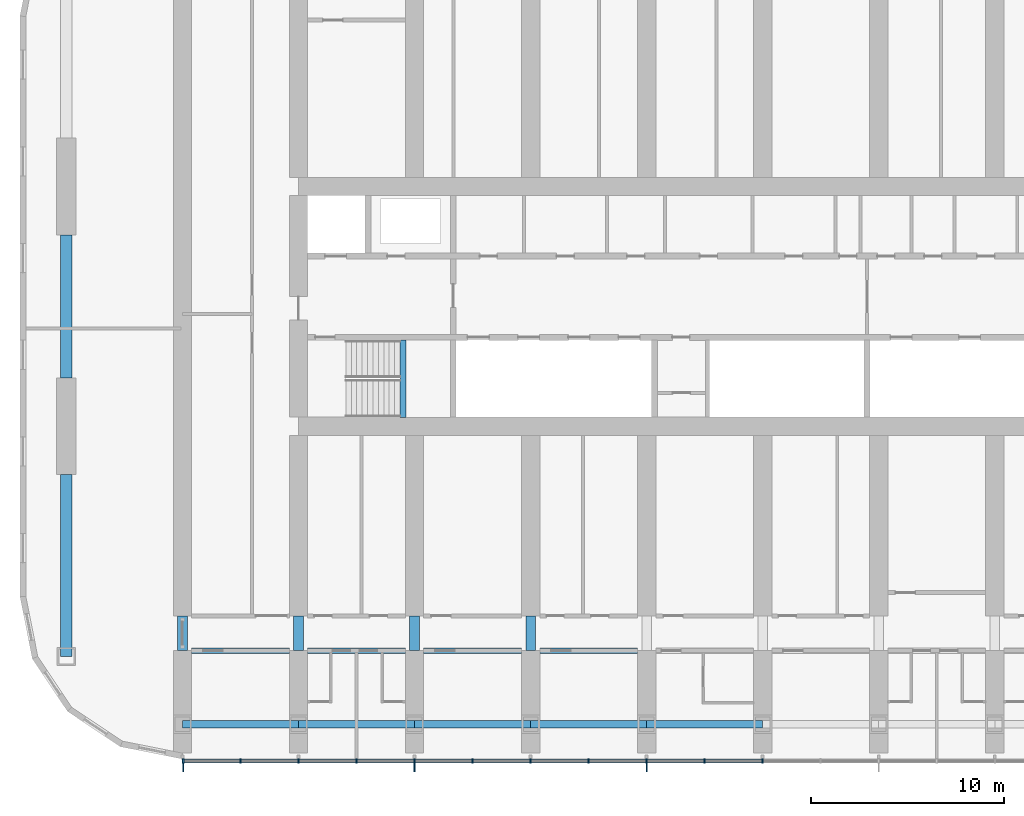
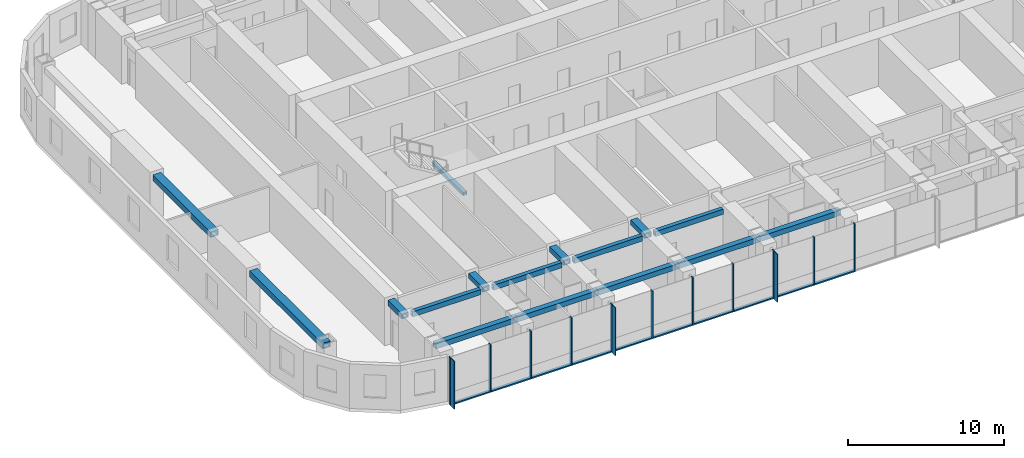
# One storey, part 2 of 21: 24 members, 16 beams, 1 element without a shape of its own.
"""IFC4 building model written with IfcOpenShell, lengths in metres."""

from ifc_helpers import new_model, si_unit, direction, frame, origin, origin_2d, place, context, subcontext, project, spatial, rectangle, hollow_rectangle, extrude, material, material_profile, profile_set, type_object, element, aggregate, save


model = new_model("IFC4")

# Units and contexts
model_context = context("Model", 3, precision=1e-05, world=origin(), true_north=direction((0.0, 1.0)))
body_context = subcontext(model_context, "Body", "Model", "MODEL_VIEW")
ifc_project = project(units=[si_unit("LENGTHUNIT", "METRE"), si_unit("AREAUNIT", "SQUARE_METRE"), si_unit("VOLUMEUNIT", "CUBIC_METRE"), si_unit("PLANEANGLEUNIT", "RADIAN"), si_unit("MASSUNIT", "GRAM", prefix="KILO")], contexts=[model_context])

# Site, building, storey
site_placement = place(None, origin())
site = spatial("IfcSite", under=ifc_project, at=site_placement, CompositionType="ELEMENT")
building_placement = place(site_placement, origin())
building = spatial("IfcBuilding", under=site, at=building_placement, Name="Orbita Commons", CompositionType="ELEMENT")
storey_placement = place(building_placement, frame((0.0, 0.0, 125.64990234375)))
storey = spatial("IfcBuildingStorey", under=building, at=storey_placement, Name="L31", CompositionType="ELEMENT", Elevation=125.64990234375)

# Curtain wall, members
ifc_material_1 = material(Name="Anodised aluminium frame, pale silver", Category="aluminium")
curtain_wall_type = type_object("IfcCurtainWallType", Name="Unitised curtain wall CW-T, vision and spandrel", PredefinedType="NOTDEFINED", material=ifc_material_1)
curtain_wall_placement = place(storey_placement, origin())
curtain_wall = element("IfcCurtainWall", 1, at=curtain_wall_placement, inside=storey, type_object=curtain_wall_type, Name="Curtain wall south L31", PredefinedType="NOTDEFINED")
ifc_material_2 = material(Name="Anodised aluminium, pale silver", Category="aluminium")
ifc_material_profile_1 = material_profile(ifc_material_2, rectangle(XDim=0.080078125, YDim=0.219970703125, at=origin_2d()), Name="AL 80x220")
ifc_profile_set_1 = profile_set([ifc_material_profile_1], Name="Anodised aluminium, pale silver")
member_type_1 = type_object("IfcMemberType", Name="Curtain wall mullion 80x220", PredefinedType="MULLION", material=ifc_profile_set_1)
member_1_placement = place(storey_placement, frame((12.0400390625, 8.489990234375, -0.25), z_axis=(0.0, 0.0, 1.0), x_axis=(1.0, 0.0, 0.0)))
member_1 = element("IfcMember", 2, at=member_1_placement, type_object=member_type_1, Name="Mullion 1 CW-L31-S", PredefinedType="MULLION", context=body_context, shape_type="SweptSolid", body=[
    extrude(rectangle(XDim=0.080078125, YDim=0.219970703125, at=origin_2d()), origin(), (0.0, 0.0, 1.0), 3.75),
])
member_2_placement = place(storey_placement, frame((15.0, 8.489990234375, -0.25), z_axis=(0.0, 0.0, 1.0), x_axis=(1.0, 0.0, 0.0)))
member_2 = element("IfcMember", 3, at=member_2_placement, type_object=member_type_1, Name="Mullion 2 CW-L31-S", PredefinedType="MULLION", context=body_context, shape_type="SweptSolid", body=[
    extrude(rectangle(XDim=0.080078125, YDim=0.219970703125, at=origin_2d()), origin(), (0.0, 0.0, 1.0), 3.75),
])
member_3_placement = place(storey_placement, frame((18.0, 8.489990234375, -0.25), z_axis=(0.0, 0.0, 1.0), x_axis=(1.0, 0.0, 0.0)))
member_3 = element("IfcMember", 4, at=member_3_placement, type_object=member_type_1, Name="Mullion 3 CW-L31-S", PredefinedType="MULLION", context=body_context, shape_type="SweptSolid", body=[
    extrude(rectangle(XDim=0.080078125, YDim=0.219970703125, at=origin_2d()), origin(), (0.0, 0.0, 1.0), 3.75),
])
member_4_placement = place(storey_placement, frame((21.0, 8.489990234375, -0.25), z_axis=(0.0, 0.0, 1.0), x_axis=(1.0, 0.0, 0.0)))
member_4 = element("IfcMember", 5, at=member_4_placement, type_object=member_type_1, Name="Mullion 4 CW-L31-S", PredefinedType="MULLION", context=body_context, shape_type="SweptSolid", body=[
    extrude(rectangle(XDim=0.080078125, YDim=0.219970703125, at=origin_2d()), origin(), (0.0, 0.0, 1.0), 3.75),
])
member_5_placement = place(storey_placement, frame((24.0, 8.489990234375, -0.25), z_axis=(0.0, 0.0, 1.0), x_axis=(1.0, 0.0, 0.0)))
member_5 = element("IfcMember", 6, at=member_5_placement, type_object=member_type_1, Name="Mullion 5 CW-L31-S", PredefinedType="MULLION", context=body_context, shape_type="SweptSolid", body=[
    extrude(rectangle(XDim=0.080078125, YDim=0.219970703125, at=origin_2d()), origin(), (0.0, 0.0, 1.0), 3.75),
])
member_6_placement = place(storey_placement, frame((27.0, 8.489990234375, -0.25), z_axis=(0.0, 0.0, 1.0), x_axis=(1.0, 0.0, 0.0)))
member_6 = element("IfcMember", 7, at=member_6_placement, type_object=member_type_1, Name="Mullion 6 CW-L31-S", PredefinedType="MULLION", context=body_context, shape_type="SweptSolid", body=[
    extrude(rectangle(XDim=0.080078125, YDim=0.219970703125, at=origin_2d()), origin(), (0.0, 0.0, 1.0), 3.75),
])
member_7_placement = place(storey_placement, frame((30.0, 8.489990234375, -0.25), z_axis=(0.0, 0.0, 1.0), x_axis=(1.0, 0.0, 0.0)))
member_7 = element("IfcMember", 8, at=member_7_placement, type_object=member_type_1, Name="Mullion 7 CW-L31-S", PredefinedType="MULLION", context=body_context, shape_type="SweptSolid", body=[
    extrude(rectangle(XDim=0.080078125, YDim=0.219970703125, at=origin_2d()), origin(), (0.0, 0.0, 1.0), 3.75),
])
member_8_placement = place(storey_placement, frame((33.0, 8.489990234375, -0.25), z_axis=(0.0, 0.0, 1.0), x_axis=(1.0, 0.0, 0.0)))
member_8 = element("IfcMember", 9, at=member_8_placement, type_object=member_type_1, Name="Mullion 8 CW-L31-S", PredefinedType="MULLION", context=body_context, shape_type="SweptSolid", body=[
    extrude(rectangle(XDim=0.080078125, YDim=0.219970703125, at=origin_2d()), origin(), (0.0, 0.0, 1.0), 3.75),
])
member_9_placement = place(storey_placement, frame((36.0, 8.489990234375, -0.25), z_axis=(0.0, 0.0, 1.0), x_axis=(1.0, 0.0, 0.0)))
member_9 = element("IfcMember", 10, at=member_9_placement, type_object=member_type_1, Name="Mullion 9 CW-L31-S", PredefinedType="MULLION", context=body_context, shape_type="SweptSolid", body=[
    extrude(rectangle(XDim=0.080078125, YDim=0.219970703125, at=origin_2d()), origin(), (0.0, 0.0, 1.0), 3.75),
])
member_10_placement = place(storey_placement, frame((39.0, 8.489990234375, -0.25), z_axis=(0.0, 0.0, 1.0), x_axis=(1.0, 0.0, 0.0)))
member_10 = element("IfcMember", 11, at=member_10_placement, type_object=member_type_1, Name="Mullion 10 CW-L31-S", PredefinedType="MULLION", context=body_context, shape_type="SweptSolid", body=[
    extrude(rectangle(XDim=0.080078125, YDim=0.219970703125, at=origin_2d()), origin(), (0.0, 0.0, 1.0), 3.75),
])
member_11_placement = place(storey_placement, frame((42.0, 8.489990234375, -0.25), z_axis=(0.0, 0.0, 1.0), x_axis=(1.0, 0.0, 0.0)))
member_11 = element("IfcMember", 12, at=member_11_placement, type_object=member_type_1, Name="Mullion 11 CW-L31-S", PredefinedType="MULLION", context=body_context, shape_type="SweptSolid", body=[
    extrude(rectangle(XDim=0.080078125, YDim=0.219970703125, at=origin_2d()), origin(), (0.0, 0.0, 1.0), 3.75),
])
ifc_material_3 = material(Name="Anodised aluminium, pale silver", Category="aluminium")
ifc_material_profile_2 = material_profile(ifc_material_3, rectangle(XDim=0.219970703125, YDim=0.10009765625, at=origin_2d()), Name="AL 220x100")
ifc_profile_set_2 = profile_set([ifc_material_profile_2], Name="Anodised aluminium, pale silver")
member_type_2 = type_object("IfcMemberType", Name="Curtain wall stack transom 220x100", PredefinedType="USERDEFINED", material=ifc_profile_set_2)
member_12_placement = place(storey_placement, frame((12.080078125, 8.489990234375, -0.199951171875), z_axis=(1.0, 0.0, 0.0), x_axis=(0.0, 1.0, 0.0)))
member_12 = element("IfcMember", 13, at=member_12_placement, type_object=member_type_2, Name="Transom 1.1 CW-L31-S", ObjectType="TRANSOM", PredefinedType="USERDEFINED", context=body_context, shape_type="SweptSolid", body=[
    extrude(rectangle(XDim=0.219970703125, YDim=0.10009765625, at=origin_2d()), origin(), (0.0, 0.0, 1.0), 2.8798828125),
])
member_13_placement = place(storey_placement, frame((15.0400390625, 8.489990234375, -0.199951171875), z_axis=(1.0, 0.0, 0.0), x_axis=(0.0, 1.0, 0.0)))
member_13 = element("IfcMember", 14, at=member_13_placement, type_object=member_type_2, Name="Transom 2.1 CW-L31-S", ObjectType="TRANSOM", PredefinedType="USERDEFINED", context=body_context, shape_type="SweptSolid", body=[
    extrude(rectangle(XDim=0.219970703125, YDim=0.10009765625, at=origin_2d()), origin(), (0.0, 0.0, 1.0), 2.919921875),
])
member_14_placement = place(storey_placement, frame((18.0400390625, 8.489990234375, -0.199951171875), z_axis=(1.0, 0.0, 0.0), x_axis=(0.0, 1.0, 0.0)))
member_14 = element("IfcMember", 15, at=member_14_placement, type_object=member_type_2, Name="Transom 3.1 CW-L31-S", ObjectType="TRANSOM", PredefinedType="USERDEFINED", context=body_context, shape_type="SweptSolid", body=[
    extrude(rectangle(XDim=0.219970703125, YDim=0.10009765625, at=origin_2d()), origin(), (0.0, 0.0, 1.0), 2.919921875),
])
member_15_placement = place(storey_placement, frame((21.0400390625, 8.489990234375, -0.199951171875), z_axis=(1.0, 0.0, 0.0), x_axis=(0.0, 1.0, 0.0)))
member_15 = element("IfcMember", 16, at=member_15_placement, type_object=member_type_2, Name="Transom 4.1 CW-L31-S", ObjectType="TRANSOM", PredefinedType="USERDEFINED", context=body_context, shape_type="SweptSolid", body=[
    extrude(rectangle(XDim=0.219970703125, YDim=0.10009765625, at=origin_2d()), origin(), (0.0, 0.0, 1.0), 2.919921875),
])
member_16_placement = place(storey_placement, frame((24.0400390625, 8.489990234375, -0.199951171875), z_axis=(1.0, 0.0, 0.0), x_axis=(0.0, 1.0, 0.0)))
member_16 = element("IfcMember", 17, at=member_16_placement, type_object=member_type_2, Name="Transom 5.1 CW-L31-S", ObjectType="TRANSOM", PredefinedType="USERDEFINED", context=body_context, shape_type="SweptSolid", body=[
    extrude(rectangle(XDim=0.219970703125, YDim=0.10009765625, at=origin_2d()), origin(), (0.0, 0.0, 1.0), 2.919921875),
])
member_17_placement = place(storey_placement, frame((27.0400390625, 8.489990234375, -0.199951171875), z_axis=(1.0, 0.0, 0.0), x_axis=(0.0, 1.0, 0.0)))
member_17 = element("IfcMember", 18, at=member_17_placement, type_object=member_type_2, Name="Transom 6.1 CW-L31-S", ObjectType="TRANSOM", PredefinedType="USERDEFINED", context=body_context, shape_type="SweptSolid", body=[
    extrude(rectangle(XDim=0.219970703125, YDim=0.10009765625, at=origin_2d()), origin(), (0.0, 0.0, 1.0), 2.919921875),
])
member_18_placement = place(storey_placement, frame((30.0400390625, 8.489990234375, -0.199951171875), z_axis=(1.0, 0.0, 0.0), x_axis=(0.0, 1.0, 0.0)))
member_18 = element("IfcMember", 19, at=member_18_placement, type_object=member_type_2, Name="Transom 7.1 CW-L31-S", ObjectType="TRANSOM", PredefinedType="USERDEFINED", context=body_context, shape_type="SweptSolid", body=[
    extrude(rectangle(XDim=0.219970703125, YDim=0.10009765625, at=origin_2d()), origin(), (0.0, 0.0, 1.0), 2.919921875),
])
member_19_placement = place(storey_placement, frame((33.0400390625, 8.489990234375, -0.199951171875), z_axis=(1.0, 0.0, 0.0), x_axis=(0.0, 1.0, 0.0)))
member_19 = element("IfcMember", 20, at=member_19_placement, type_object=member_type_2, Name="Transom 8.1 CW-L31-S", ObjectType="TRANSOM", PredefinedType="USERDEFINED", context=body_context, shape_type="SweptSolid", body=[
    extrude(rectangle(XDim=0.219970703125, YDim=0.10009765625, at=origin_2d()), origin(), (0.0, 0.0, 1.0), 2.919921875),
])
member_20_placement = place(storey_placement, frame((36.0400390625, 8.489990234375, -0.199951171875), z_axis=(1.0, 0.0, 0.0), x_axis=(0.0, 1.0, 0.0)))
member_20 = element("IfcMember", 21, at=member_20_placement, type_object=member_type_2, Name="Transom 9.1 CW-L31-S", ObjectType="TRANSOM", PredefinedType="USERDEFINED", context=body_context, shape_type="SweptSolid", body=[
    extrude(rectangle(XDim=0.219970703125, YDim=0.10009765625, at=origin_2d()), origin(), (0.0, 0.0, 1.0), 2.919921875),
])
member_21_placement = place(storey_placement, frame((39.0400390625, 8.489990234375, -0.199951171875), z_axis=(1.0, 0.0, 0.0), x_axis=(0.0, 1.0, 0.0)))
member_21 = element("IfcMember", 22, at=member_21_placement, type_object=member_type_2, Name="Transom 10.1 CW-L31-S", ObjectType="TRANSOM", PredefinedType="USERDEFINED", context=body_context, shape_type="SweptSolid", body=[
    extrude(rectangle(XDim=0.219970703125, YDim=0.10009765625, at=origin_2d()), origin(), (0.0, 0.0, 1.0), 2.919921875),
])

# Beams
ifc_material_4 = material(Name="Steel ASTM A572 Gr 50 welded plate", Category="steel")
ifc_material_profile_3 = material_profile(ifc_material_4, hollow_rectangle(XDim=0.300048828125, YDim=0.25, WallThickness=0.02490234375, at=origin_2d()), Name="BOX 250x300x25")
ifc_profile_set_3 = profile_set([ifc_material_profile_3], Name="Steel ASTM A572 Gr 50 welded plate")
beam_type_1 = type_object("IfcBeamType", Name="Stair landing beam steel BOX 250x300x25", PredefinedType="BEAM", material=ifc_profile_set_3)
beam_1_placement = place(storey_placement, frame((23.39990234375, 26.260009765625, 1.550048828125), z_axis=(0.0, 1.0, 0.0), x_axis=(-1.0, 0.0, 0.0)))
element("IfcBeam", 23, at=beam_1_placement, inside=storey, type_object=beam_type_1, Name="Stair S1 landing beam L31 1", PredefinedType="BEAM", context=body_context, shape_type="SweptSolid", body=[
    extrude(hollow_rectangle(XDim=0.300048828125, YDim=0.25, WallThickness=0.02490234375, at=origin_2d()), origin(), (0.0, 0.0, 1.0), 4.0048828125),
])
ifc_material_5 = material(Name="Steel ASTM A572 Gr 50 welded plate", Category="steel")
ifc_material_profile_4 = material_profile(ifc_material_5, hollow_rectangle(XDim=0.300048828125, YDim=0.39990234375, WallThickness=0.0400390625, at=origin_2d()), Name="BOX 400x300x40")
ifc_profile_set_4 = profile_set([ifc_material_profile_4], Name="Steel ASTM A572 Gr 50 welded plate")
beam_type_2 = type_object("IfcBeamType", Name="Steel corridor link BOX 400x300x40", PredefinedType="BEAM", material=ifc_profile_set_4)
for number, where, z_axis, x_axis, name in (
    (24, (12.47509765625, 14.199951171875, 3.300048828125), (1.0, 0.0, 0.0), (0.0, 1.0, 0.0), "Corridor beam SA 3-4 L31"),
    (25, (18.47509765625, 14.199951171875, 3.300048828125), (1.0, 0.0, 0.0), (0.0, 1.0, 0.0), "Corridor beam SA 4-5 L31"),
    (26, (24.47509765625, 14.199951171875, 3.300048828125), (1.0, 0.0, 0.0), (0.0, 1.0, 0.0), "Corridor beam SA 5-6 L31"),
    (27, (30.47509765625, 14.199951171875, 3.300048828125), (1.0, 0.0, 0.0), (0.0, 1.0, 0.0), "Corridor beam SA 6-7 L31"),
):
    element("IfcBeam", number, at=place(storey_placement, frame(where, z_axis=z_axis, x_axis=x_axis)), inside=storey, type_object=beam_type_2, Name=name, PredefinedType="BEAM", context=body_context, shape_type="SweptSolid", body=[
        extrude(hollow_rectangle(XDim=0.300048828125, YDim=0.39990234375, WallThickness=0.0400390625, at=origin_2d()), origin(), (0.0, 0.0, 1.0), 5.0498046875),
    ])
ifc_material_6 = material(Name="Steel ASTM A572 Gr 50 welded plate", Category="steel")
ifc_material_profile_5 = material_profile(ifc_material_6, hollow_rectangle(XDim=0.5, YDim=0.39990234375, WallThickness=0.050048828125, at=origin_2d()), Name="BOX 400x500x50")
ifc_profile_set_5 = profile_set([ifc_material_profile_5], Name="Steel ASTM A572 Gr 50 welded plate")
beam_type_3 = type_object("IfcBeamType", Name="Steel coupling link BOX 400x500x50", PredefinedType="LINTEL", material=ifc_profile_set_5)
for number, where, z_axis, x_axis, name in (
    (28, (12.0, 14.199951171875, 3.300048828125), (0.0, 1.0, 0.0), (-1.0, 0.0, 0.0), "Coupling beam 3 south L31"),
    (29, (18.0, 14.199951171875, 3.300048828125), (0.0, 1.0, 0.0), (-1.0, 0.0, 0.0), "Coupling beam 4 south L31"),
    (30, (24.0, 14.199951171875, 3.300048828125), (0.0, 1.0, 0.0), (-1.0, 0.0, 0.0), "Coupling beam 5 south L31"),
    (31, (30.0, 14.199951171875, 3.300048828125), (0.0, 1.0, 0.0), (-1.0, 0.0, 0.0), "Coupling beam 6 south L31"),
):
    element("IfcBeam", number, at=place(storey_placement, frame(where, z_axis=z_axis, x_axis=x_axis)), inside=storey, type_object=beam_type_3, Name=name, PredefinedType="LINTEL", context=body_context, shape_type="SweptSolid", body=[
        extrude(hollow_rectangle(XDim=0.5, YDim=0.39990234375, WallThickness=0.050048828125, at=origin_2d()), origin(), (0.0, 0.0, 1.0), 1.800048828125),
    ])
ifc_material_7 = material(Name="Steel ASTM A572 Gr 50 welded plate", Category="steel")
ifc_material_profile_6 = material_profile(ifc_material_7, hollow_rectangle(XDim=0.60009765625, YDim=0.449951171875, WallThickness=0.06005859375, at=origin_2d()), Name="BOX 450x600x60")
ifc_profile_set_6 = profile_set([ifc_material_profile_6], Name="Steel ASTM A572 Gr 50 welded plate")
beam_type_4 = type_object("IfcBeamType", Name="Steel end frame link BOX 450x600x60", PredefinedType="BEAM", material=ifc_profile_set_6)
beam_2_placement = place(storey_placement, frame((6.0, 13.89990234375, 3.275146484375), z_axis=(0.0, 1.0, 0.0), x_axis=(-1.0, 0.0, 0.0)))
element("IfcBeam", 32, at=beam_2_placement, inside=storey, type_object=beam_type_4, Name="End frame beam 2 B-C L31", PredefinedType="BEAM", context=body_context, shape_type="SweptSolid", body=[
    extrude(hollow_rectangle(XDim=0.60009765625, YDim=0.449951171875, WallThickness=0.06005859375, at=origin_2d()), origin(), (0.0, 0.0, 1.0), 9.400146484375),
])
beam_3_placement = place(storey_placement, frame((6.0, 28.300048828125, 3.275146484375), z_axis=(0.0, 1.0, 0.0), x_axis=(-1.0, 0.0, 0.0)))
element("IfcBeam", 33, at=beam_3_placement, inside=storey, type_object=beam_type_4, Name="End frame beam 2 C-D L31", PredefinedType="BEAM", context=body_context, shape_type="SweptSolid", body=[
    extrude(hollow_rectangle(XDim=0.60009765625, YDim=0.449951171875, WallThickness=0.06005859375, at=origin_2d()), origin(), (0.0, 0.0, 1.0), 7.39990234375),
])
ifc_material_8 = material(Name="Steel ASTM A572 Gr 50 welded plate", Category="steel")
ifc_material_profile_7 = material_profile(ifc_material_8, hollow_rectangle(XDim=0.39990234375, YDim=0.39990234375, WallThickness=0.0400390625, at=origin_2d()), Name="BOX 400x400x40")
ifc_profile_set_7 = profile_set([ifc_material_profile_7], Name="Steel ASTM A572 Gr 50 welded plate")
beam_type_5 = type_object("IfcBeamType", Name="Steel spandrel BOX 400x400x40", PredefinedType="SPANDREL", material=ifc_profile_set_7)
for number, where, z_axis, x_axis, name in (
    (34, (12.0, 10.39990234375, 3.300048828125), (1.0, 0.0, 0.0), (0.0, 1.0, 0.0), "Spandrel beam B 3-4 L31"),
    (35, (18.0, 10.39990234375, 3.300048828125), (1.0, 0.0, 0.0), (0.0, 1.0, 0.0), "Spandrel beam B 4-5 L31"),
    (36, (24.0, 10.39990234375, 3.300048828125), (1.0, 0.0, 0.0), (0.0, 1.0, 0.0), "Spandrel beam B 5-6 L31"),
    (37, (30.0, 10.39990234375, 3.300048828125), (1.0, 0.0, 0.0), (0.0, 1.0, 0.0), "Spandrel beam B 6-7 L31"),
    (38, (36.0, 10.39990234375, 3.300048828125), (1.0, 0.0, 0.0), (0.0, 1.0, 0.0), "Spandrel beam B 7-8 L31"),
):
    element("IfcBeam", number, at=place(storey_placement, frame(where, z_axis=z_axis, x_axis=x_axis)), inside=storey, type_object=beam_type_5, Name=name, PredefinedType="SPANDREL", context=body_context, shape_type="SweptSolid", body=[
        extrude(hollow_rectangle(XDim=0.39990234375, YDim=0.39990234375, WallThickness=0.0400390625, at=origin_2d()), origin(), (0.0, 0.0, 1.0), 6.0),
    ])

# Member
ifc_material_9 = material(Name="Anodised aluminium, pale silver", Category="aluminium")
ifc_material_profile_8 = material_profile(ifc_material_9, rectangle(XDim=0.06005859375, YDim=0.449951171875, at=origin_2d()), Name="FIN 60x450")
ifc_profile_set_8 = profile_set([ifc_material_profile_8], Name="Anodised aluminium, pale silver")
member_type_3 = type_object("IfcMemberType", Name="Vertical fin 60x450 pale aluminium", PredefinedType="USERDEFINED", material=ifc_profile_set_8)
member_22_placement = place(storey_placement, frame((12.0400390625, 8.155029296875, -0.25), z_axis=(0.0, 0.0, 1.0), x_axis=(1.0, 0.0, 0.0)))
member_22 = element("IfcMember", 39, at=member_22_placement, type_object=member_type_3, Name="Fin 1 CW-L31-S", ObjectType="FIN", PredefinedType="USERDEFINED", context=body_context, shape_type="SweptSolid", body=[
    extrude(rectangle(XDim=0.06005859375, YDim=0.449951171875, at=origin_2d()), origin(), (0.0, 0.0, 1.0), 3.75),
])

member_23_placement = place(storey_placement, frame((24.0, 8.155029296875, -0.25), z_axis=(0.0, 0.0, 1.0), x_axis=(1.0, 0.0, 0.0)))
member_23 = element("IfcMember", 40, at=member_23_placement, type_object=member_type_3, Name="Fin 5 CW-L31-S", ObjectType="FIN", PredefinedType="USERDEFINED", context=body_context, shape_type="SweptSolid", body=[
    extrude(rectangle(XDim=0.06005859375, YDim=0.449951171875, at=origin_2d()), origin(), (0.0, 0.0, 1.0), 3.75),
])

member_24_placement = place(storey_placement, frame((36.0, 8.155029296875, -0.25), z_axis=(0.0, 0.0, 1.0), x_axis=(1.0, 0.0, 0.0)))
member_24 = element("IfcMember", 41, at=member_24_placement, type_object=member_type_3, Name="Fin 9 CW-L31-S", ObjectType="FIN", PredefinedType="USERDEFINED", context=body_context, shape_type="SweptSolid", body=[
    extrude(rectangle(XDim=0.06005859375, YDim=0.449951171875, at=origin_2d()), origin(), (0.0, 0.0, 1.0), 3.75),
])

aggregate(curtain_wall, [member_1, member_22, member_2, member_3, member_4, member_5, member_23, member_6, member_7, member_8, member_9, member_24, member_10, member_11, member_12, member_13, member_14, member_15, member_16, member_17, member_18, member_19, member_20, member_21])

save(model, "model.ifc")
